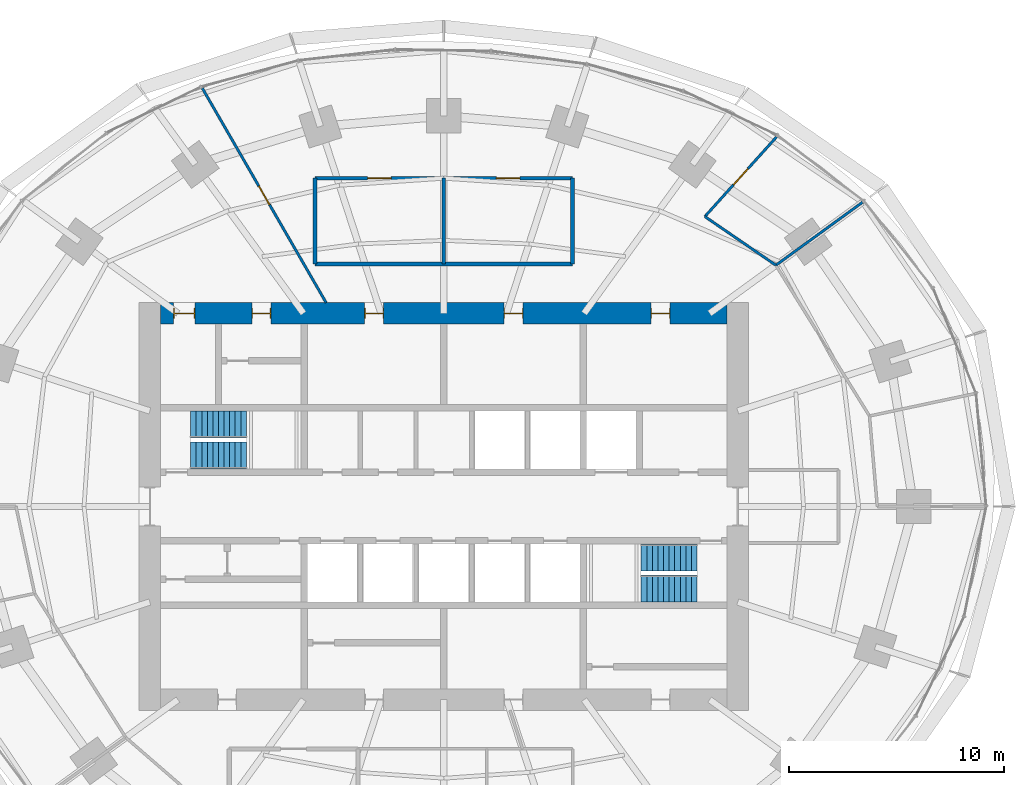
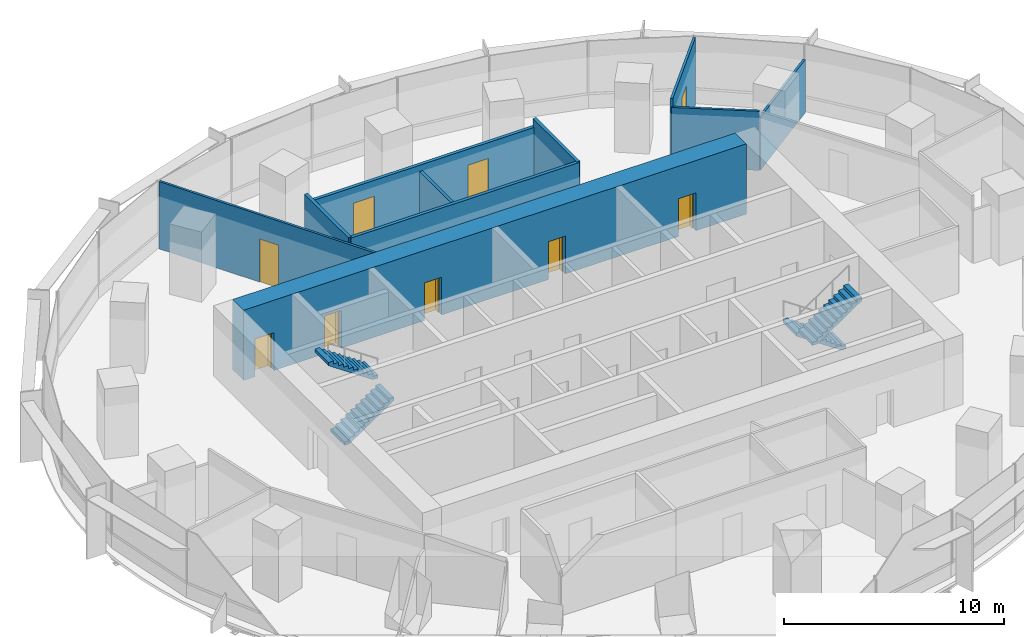
# One storey, part 12 of 14: 10 walls, 9 doors, 4 stair flights, 9 openings, 2 elements without a shape of their own.
"""IFC4 building model written with IfcOpenShell, lengths in metres."""

from ifc_helpers import new_model, si_unit, direction, frame, frame_2d, origin, place, context, subcontext, project, spatial, polyline, rectangle, outline, extrude, material, layer, layer_set, type_object, element, fill, aggregate, save


model = new_model("IFC4")

# Units and contexts
model_context = context("Model", 3, precision=1e-05, world=origin(), true_north=direction((0.0, 1.0)))
body_context = subcontext(model_context, "Body", "Model", "MODEL_VIEW")
ifc_project = project(units=[si_unit("LENGTHUNIT", "METRE"), si_unit("AREAUNIT", "SQUARE_METRE"), si_unit("VOLUMEUNIT", "CUBIC_METRE"), si_unit("PLANEANGLEUNIT", "RADIAN"), si_unit("MASSUNIT", "GRAM", prefix="KILO")], contexts=[model_context])

# Site, building, storey
site_placement = place(None, origin())
site = spatial("IfcSite", under=ifc_project, at=site_placement, CompositionType="ELEMENT")
building_placement = place(site_placement, origin())
building = spatial("IfcBuilding", under=site, at=building_placement, Name="Marramba Exchange Tower", CompositionType="ELEMENT")
storey_placement = place(building_placement, frame((0.0, 0.0, 96.300048828125)))
storey = spatial("IfcBuildingStorey", under=building, at=storey_placement, Name="L22", CompositionType="ELEMENT", Elevation=96.300048828125)

# Wall
ifc_material_1 = material(Name="Plasterboard on staggered double steel studs, acoustic insulation", Category="steel")
ifc_layer_1 = layer(ifc_material_1, 0.169921875)
ifc_layer_set_1 = layer_set([ifc_layer_1], Name="Acoustic partition 170")
wall_type_1 = type_object("IfcWallType", Name="Acoustic partition 170", PredefinedType="PARTITIONING", material=ifc_layer_set_1)
wall_1_placement = place(storey_placement, frame((6.0, 15.300048828125, 0.0), z_axis=(0.0, 0.0, 1.0), x_axis=(0.0, -1.0, 0.0)))
element("IfcWall", 1, at=wall_1_placement, inside=storey, type_object=wall_type_1, Name="Acoustic partition L22 27", PredefinedType="PARTITIONING", context=body_context, shape_type="SweptSolid", body=[
    extrude(rectangle(XDim=4.0, YDim=0.169921875, at=frame_2d((2.0, 0.0))), origin(), (0.0, 0.0, 1.0), 3.739990234375),
])

# Wall, openings, doors
wall_2_placement = place(storey_placement, frame((-6.0, 15.300048828125, 0.0), z_axis=(0.0, 0.0, 1.0), x_axis=(1.0, 0.0, 0.0)))
wall_2 = element("IfcWall", 2, at=wall_2_placement, inside=storey, type_object=wall_type_1, Name="Acoustic partition L22 28", PredefinedType="PARTITIONING", context=body_context, shape_type="SweptSolid", body=[
    extrude(rectangle(XDim=12.0, YDim=0.169921875, at=frame_2d((6.0, 0.0))), origin(), (0.0, 0.0, 1.0), 3.285888671875),
])
opening_1_placement = place(wall_2_placement, frame((2.449951171875, 0.0, 0.0)))
opening_1 = element("IfcOpeningElement", 3, at=opening_1_placement, cuts=wall_2, Name="Opening D15", PredefinedType="OPENING", context=body_context, shape_type="SweptSolid", body=[
    extrude(rectangle(XDim=1.10009765625, YDim=2.39990234375, at=frame_2d((0.550048828125, 1.199951171875))), frame((0.0, 0.094970703125, 0.0), z_axis=(0.0, -1.0, 0.0), x_axis=(1.0, 0.0, 0.0)), (0.0, 0.0, 1.0), 0.18994140625),
])
opening_2_placement = place(wall_2_placement, frame((8.449951171875, 0.0, 0.0)))
opening_2 = element("IfcOpeningElement", 4, at=opening_2_placement, cuts=wall_2, Name="Opening D15", PredefinedType="OPENING", context=body_context, shape_type="SweptSolid", body=[
    extrude(rectangle(XDim=1.10009765625, YDim=2.39990234375, at=frame_2d((0.550048828125, 1.199951171875))), frame((0.0, 0.094970703125, 0.0), z_axis=(0.0, -1.0, 0.0), x_axis=(1.0, 0.0, 0.0)), (0.0, 0.0, 1.0), 0.18994140625),
])
ifc_material_2 = material(Name="Timber door", Category="wood")
door_type_1 = type_object("IfcDoorType", Name="Glazed meeting room door 1100x2400", OperationType="SINGLE_SWING_LEFT", PredefinedType="DOOR", material=ifc_material_2)
door_1_placement = place(opening_1_placement, frame((1.10009765625, 0.0, 0.0), z_axis=(0.0, 0.0, 1.0), x_axis=(-1.0, 0.0, 0.0)))
door_1 = element("IfcDoor", 5, at=door_1_placement, inside=storey, type_object=door_type_1, Name="D15 Meeting Room 1 L22", OperationType="SINGLE_SWING_RIGHT", OverallHeight=2.39990234375, OverallWidth=1.10009765625, PredefinedType="DOOR", context=body_context, shape_type="SweptSolid", body=[
    extrude(rectangle(XDim=1.10009765625, YDim=2.39990234375, at=frame_2d((0.550048828125, 1.199951171875))), frame((0.0, 0.025146484375, 0.0), z_axis=(0.0, -1.0, 0.0), x_axis=(1.0, 0.0, 0.0)), (0.0, 0.0, 1.0), 0.050048828125),
])
fill(opening_1, door_1)
door_2_placement = place(opening_2_placement, frame((1.10009765625, 0.0, 0.0), z_axis=(0.0, 0.0, 1.0), x_axis=(-1.0, 0.0, 0.0)))
door_2 = element("IfcDoor", 6, at=door_2_placement, inside=storey, type_object=door_type_1, Name="D15 Meeting Room 2 L22", OperationType="SINGLE_SWING_RIGHT", OverallHeight=2.39990234375, OverallWidth=1.10009765625, PredefinedType="DOOR", context=body_context, shape_type="SweptSolid", body=[
    extrude(rectangle(XDim=1.10009765625, YDim=2.39990234375, at=frame_2d((0.550048828125, 1.199951171875))), frame((0.0, 0.025146484375, 0.0), z_axis=(0.0, -1.0, 0.0), x_axis=(1.0, 0.0, 0.0)), (0.0, 0.0, 1.0), 0.050048828125),
])
fill(opening_2, door_2)

# Walls
wall_3_placement = place(storey_placement, frame((0.0, 15.300048828125, 0.0), z_axis=(0.0, 0.0, 1.0), x_axis=(0.0, -1.0, 0.0)))
element("IfcWall", 7, at=wall_3_placement, inside=storey, type_object=wall_type_1, Name="Acoustic partition L22 29", PredefinedType="PARTITIONING", context=body_context, shape_type="SweptSolid", body=[
    extrude(rectangle(XDim=4.0, YDim=0.169921875, at=frame_2d((2.0, 0.0))), origin(), (0.0, 0.0, 1.0), 2.93994140625),
])
wall_4_placement = place(storey_placement, frame((6.0, 11.300048828125, 0.0), z_axis=(0.0, 0.0, 1.0), x_axis=(-1.0, 0.0, 0.0)))
element("IfcWall", 8, at=wall_4_placement, inside=storey, type_object=wall_type_1, Name="Acoustic partition L22 30", PredefinedType="PARTITIONING", context=body_context, shape_type="SweptSolid", body=[
    extrude(rectangle(XDim=12.0, YDim=0.169921875, at=frame_2d((6.0, 0.0))), origin(), (0.0, 0.0, 1.0), 3.739990234375),
])
wall_5_placement = place(storey_placement, frame((-6.0, 11.300048828125, 0.0), z_axis=(0.0, 0.0, 1.0), x_axis=(0.0, 1.0, 0.0)))
element("IfcWall", 9, at=wall_5_placement, inside=storey, type_object=wall_type_1, Name="Acoustic partition L22 31", PredefinedType="PARTITIONING", context=body_context, shape_type="SweptSolid", body=[
    extrude(rectangle(XDim=4.0, YDim=0.169921875, at=frame_2d((2.0, 0.0))), origin(), (0.0, 0.0, 1.0), 3.739990234375),
])

# Wall, openings, doors
ifc_material_3 = material(Name="Concrete N50", Category="concrete")
ifc_layer_2 = layer(ifc_material_3, 1.0)
ifc_layer_set_2 = layer_set([ifc_layer_2], Name="Core wall 1000")
wall_type_2 = type_object("IfcWallType", Name="Core wall 1000", PredefinedType="SHEAR", material=ifc_layer_set_2)
wall_6_placement = place(storey_placement, frame((13.199951171875, 9.0, 0.0), z_axis=(0.0, 0.0, 1.0), x_axis=(-1.0, 0.0, 0.0)))
wall_6 = element("IfcWall", 10, at=wall_6_placement, inside=storey, type_object=wall_type_2, Name="Core wall N L22", PredefinedType="SHEAR", context=body_context, shape_type="SweptSolid", body=[
    extrude(rectangle(XDim=26.39990234375, YDim=1.0, at=frame_2d((13.199951171875, 0.0))), origin(), (0.0, 0.0, 1.0), 3.89990234375),
])
opening_3_placement = place(wall_6_placement, frame((2.64990234375, 0.0, 0.0)))
opening_3 = element("IfcOpeningElement", 11, at=opening_3_placement, cuts=wall_6, Name="Opening D5", PredefinedType="OPENING", context=body_context, shape_type="SweptSolid", body=[
    extrude(rectangle(XDim=0.89990234375, YDim=2.10009765625, at=frame_2d((0.449951171875, 1.050048828125))), frame((0.0, 0.510009765625, 0.0), z_axis=(0.0, -1.0, 0.0), x_axis=(1.0, 0.0, 0.0)), (0.0, 0.0, 1.0), 1.02001953125),
])
opening_4_placement = place(wall_6_placement, frame((9.5, 0.0, 0.0)))
opening_4 = element("IfcOpeningElement", 12, at=opening_4_placement, cuts=wall_6, Name="Opening D3", PredefinedType="OPENING", context=body_context, shape_type="SweptSolid", body=[
    extrude(rectangle(XDim=0.89990234375, YDim=2.10009765625, at=frame_2d((0.449951171875, 1.050048828125))), frame((0.0, 0.510009765625, 0.0), z_axis=(0.0, -1.0, 0.0), x_axis=(1.0, 0.0, 0.0)), (0.0, 0.0, 1.0), 1.02001953125),
])
opening_5_placement = place(wall_6_placement, frame((16.0, 0.0, 0.0)))
opening_5 = element("IfcOpeningElement", 13, at=opening_5_placement, cuts=wall_6, Name="Opening D3", PredefinedType="OPENING", context=body_context, shape_type="SweptSolid", body=[
    extrude(rectangle(XDim=0.89990234375, YDim=2.10009765625, at=frame_2d((0.449951171875, 1.050048828125))), frame((0.0, 0.510009765625, 0.0), z_axis=(0.0, -1.0, 0.0), x_axis=(1.0, 0.0, 0.0)), (0.0, 0.0, 1.0), 1.02001953125),
])
opening_6_placement = place(wall_6_placement, frame((21.25, 0.0, 0.0)))
opening_6 = element("IfcOpeningElement", 14, at=opening_6_placement, cuts=wall_6, Name="Opening D5", PredefinedType="OPENING", context=body_context, shape_type="SweptSolid", body=[
    extrude(rectangle(XDim=0.89990234375, YDim=2.10009765625, at=frame_2d((0.449951171875, 1.050048828125))), frame((0.0, 0.510009765625, 0.0), z_axis=(0.0, -1.0, 0.0), x_axis=(1.0, 0.0, 0.0)), (0.0, 0.0, 1.0), 1.02001953125),
])
opening_7_placement = place(wall_6_placement, frame((24.800048828125, 0.0, 0.0)))
opening_7 = element("IfcOpeningElement", 15, at=opening_7_placement, cuts=wall_6, Name="Opening D4", PredefinedType="OPENING", context=body_context, shape_type="SweptSolid", body=[
    extrude(rectangle(XDim=1.0, YDim=2.10009765625, at=frame_2d((0.5, 1.050048828125))), frame((0.0, 0.510009765625, 0.0), z_axis=(0.0, -1.0, 0.0), x_axis=(1.0, 0.0, 0.0)), (0.0, 0.0, 1.0), 1.02001953125),
])
ifc_material_4 = material(Name="Steel-framed door", Category="steel")
door_type_2 = type_object("IfcDoorType", Name="Accessible toilet door 1000x2100", OperationType="SINGLE_SWING_LEFT", PredefinedType="DOOR", material=ifc_material_4)
door_3_placement = place(opening_7_placement, origin())
door_3 = element("IfcDoor", 16, at=door_3_placement, inside=storey, type_object=door_type_2, Name="D4 awc L22", OperationType="SINGLE_SWING_RIGHT", OverallHeight=2.10009765625, OverallWidth=1.0, PredefinedType="DOOR", context=body_context, shape_type="SweptSolid", body=[
    extrude(rectangle(XDim=0.919921875, YDim=2.06005859375, at=frame_2d((0.5, 1.030029296875))), frame((0.0, 0.02490234375, 0.0), z_axis=(0.0, -1.0, 0.0), x_axis=(1.0, 0.0, 0.0)), (0.0, 0.0, 1.0), 0.050048828125),
    extrude(rectangle(XDim=0.04, YDim=2.10009765625, at=frame_2d((0.02001953125, 1.050048828125))), frame((0.0, 0.25, 0.0), z_axis=(0.0, -1.0, 0.0), x_axis=(1.0, 0.0, 0.0)), (0.0, 0.0, 1.0), 0.5),
    extrude(rectangle(XDim=0.04, YDim=2.10009765625, at=frame_2d((0.97998046875, 1.050048828125))), frame((0.0, 0.25, 0.0), z_axis=(0.0, -1.0, 0.0), x_axis=(1.0, 0.0, 0.0)), (0.0, 0.0, 1.0), 0.5),
    extrude(rectangle(XDim=0.919921875, YDim=0.04, at=frame_2d((0.5, 2.080078125))), frame((0.0, 0.25, 0.0), z_axis=(0.0, -1.0, 0.0), x_axis=(1.0, 0.0, 0.0)), (0.0, 0.0, 1.0), 0.5),
])
fill(opening_7, door_3)
door_type_3 = type_object("IfcDoorType", Name="Service door 900x2100", OperationType="SINGLE_SWING_LEFT", PredefinedType="DOOR", material=ifc_material_4)
door_4_placement = place(opening_3_placement, origin())
door_4 = element("IfcDoor", 17, at=door_4_placement, inside=storey, type_object=door_type_3, Name="D5 comms L22", OperationType="SINGLE_SWING_LEFT", OverallHeight=2.10009765625, OverallWidth=0.89990234375, PredefinedType="DOOR", context=body_context, shape_type="SweptSolid", body=[
    extrude(rectangle(XDim=0.81982421875, YDim=2.06005859375, at=frame_2d((0.449951171875, 1.030029296875))), frame((0.0, 0.02490234375, 0.0), z_axis=(0.0, -1.0, 0.0), x_axis=(1.0, 0.0, 0.0)), (0.0, 0.0, 1.0), 0.050048828125),
    extrude(rectangle(XDim=0.04, YDim=2.10009765625, at=frame_2d((0.02001953125, 1.050048828125))), frame((0.0, 0.25, 0.0), z_axis=(0.0, -1.0, 0.0), x_axis=(1.0, 0.0, 0.0)), (0.0, 0.0, 1.0), 0.5),
    extrude(rectangle(XDim=0.04, YDim=2.10009765625, at=frame_2d((0.8798828125, 1.050048828125))), frame((0.0, 0.25, 0.0), z_axis=(0.0, -1.0, 0.0), x_axis=(1.0, 0.0, 0.0)), (0.0, 0.0, 1.0), 0.5),
    extrude(rectangle(XDim=0.81982421875, YDim=0.04, at=frame_2d((0.449951171875, 2.080078125))), frame((0.0, 0.25, 0.0), z_axis=(0.0, -1.0, 0.0), x_axis=(1.0, 0.0, 0.0)), (0.0, 0.0, 1.0), 0.5),
])
fill(opening_3, door_4)
door_5_placement = place(opening_6_placement, origin())
door_5 = element("IfcDoor", 18, at=door_5_placement, inside=storey, type_object=door_type_3, Name="D5 cleaner L22", OperationType="SINGLE_SWING_RIGHT", OverallHeight=2.10009765625, OverallWidth=0.89990234375, PredefinedType="DOOR", context=body_context, shape_type="SweptSolid", body=[
    extrude(rectangle(XDim=0.81982421875, YDim=2.06005859375, at=frame_2d((0.449951171875, 1.030029296875))), frame((0.0, 0.02490234375, 0.0), z_axis=(0.0, -1.0, 0.0), x_axis=(1.0, 0.0, 0.0)), (0.0, 0.0, 1.0), 0.050048828125),
    extrude(rectangle(XDim=0.04, YDim=2.10009765625, at=frame_2d((0.02001953125, 1.050048828125))), frame((0.0, 0.25, 0.0), z_axis=(0.0, -1.0, 0.0), x_axis=(1.0, 0.0, 0.0)), (0.0, 0.0, 1.0), 0.5),
    extrude(rectangle(XDim=0.04, YDim=2.10009765625, at=frame_2d((0.8798828125, 1.050048828125))), frame((0.0, 0.25, 0.0), z_axis=(0.0, -1.0, 0.0), x_axis=(1.0, 0.0, 0.0)), (0.0, 0.0, 1.0), 0.5),
    extrude(rectangle(XDim=0.81982421875, YDim=0.04, at=frame_2d((0.449951171875, 2.080078125))), frame((0.0, 0.25, 0.0), z_axis=(0.0, -1.0, 0.0), x_axis=(1.0, 0.0, 0.0)), (0.0, 0.0, 1.0), 0.5),
])
fill(opening_6, door_5)
door_type_4 = type_object("IfcDoorType", Name="Toilet door 900x2100", OperationType="SINGLE_SWING_LEFT", PredefinedType="DOOR", material=ifc_material_4)
door_6_placement = place(opening_4_placement, origin())
door_6 = element("IfcDoor", 19, at=door_6_placement, inside=storey, type_object=door_type_4, Name="D3 wc-f L22", OperationType="SINGLE_SWING_RIGHT", OverallHeight=2.10009765625, OverallWidth=0.89990234375, PredefinedType="DOOR", context=body_context, shape_type="SweptSolid", body=[
    extrude(rectangle(XDim=0.81982421875, YDim=2.06005859375, at=frame_2d((0.449951171875, 1.030029296875))), frame((0.0, 0.02490234375, 0.0), z_axis=(0.0, -1.0, 0.0), x_axis=(1.0, 0.0, 0.0)), (0.0, 0.0, 1.0), 0.050048828125),
    extrude(rectangle(XDim=0.04, YDim=2.10009765625, at=frame_2d((0.02001953125, 1.050048828125))), frame((0.0, 0.25, 0.0), z_axis=(0.0, -1.0, 0.0), x_axis=(1.0, 0.0, 0.0)), (0.0, 0.0, 1.0), 0.5),
    extrude(rectangle(XDim=0.04, YDim=2.10009765625, at=frame_2d((0.8798828125, 1.050048828125))), frame((0.0, 0.25, 0.0), z_axis=(0.0, -1.0, 0.0), x_axis=(1.0, 0.0, 0.0)), (0.0, 0.0, 1.0), 0.5),
    extrude(rectangle(XDim=0.81982421875, YDim=0.04, at=frame_2d((0.449951171875, 2.080078125))), frame((0.0, 0.25, 0.0), z_axis=(0.0, -1.0, 0.0), x_axis=(1.0, 0.0, 0.0)), (0.0, 0.0, 1.0), 0.5),
])
fill(opening_4, door_6)
door_7_placement = place(opening_5_placement, origin())
door_7 = element("IfcDoor", 20, at=door_7_placement, inside=storey, type_object=door_type_4, Name="D3 wc-m L22", OperationType="SINGLE_SWING_RIGHT", OverallHeight=2.10009765625, OverallWidth=0.89990234375, PredefinedType="DOOR", context=body_context, shape_type="SweptSolid", body=[
    extrude(rectangle(XDim=0.81982421875, YDim=2.06005859375, at=frame_2d((0.449951171875, 1.030029296875))), frame((0.0, 0.02490234375, 0.0), z_axis=(0.0, -1.0, 0.0), x_axis=(1.0, 0.0, 0.0)), (0.0, 0.0, 1.0), 0.050048828125),
    extrude(rectangle(XDim=0.04, YDim=2.10009765625, at=frame_2d((0.02001953125, 1.050048828125))), frame((0.0, 0.25, 0.0), z_axis=(0.0, -1.0, 0.0), x_axis=(1.0, 0.0, 0.0)), (0.0, 0.0, 1.0), 0.5),
    extrude(rectangle(XDim=0.04, YDim=2.10009765625, at=frame_2d((0.8798828125, 1.050048828125))), frame((0.0, 0.25, 0.0), z_axis=(0.0, -1.0, 0.0), x_axis=(1.0, 0.0, 0.0)), (0.0, 0.0, 1.0), 0.5),
    extrude(rectangle(XDim=0.81982421875, YDim=0.04, at=frame_2d((0.449951171875, 2.080078125))), frame((0.0, 0.25, 0.0), z_axis=(0.0, -1.0, 0.0), x_axis=(1.0, 0.0, 0.0)), (0.0, 0.0, 1.0), 0.5),
])
fill(opening_5, door_7)

# Walls
ifc_material_5 = material(Name="Plasterboard on steel studs", Category="steel")
ifc_layer_3 = layer(ifc_material_5, 0.1201171875)
ifc_layer_set_3 = layer_set([ifc_layer_3], Name="Partition 120")
wall_type_3 = type_object("IfcWallType", Name="Partition 120", PredefinedType="PARTITIONING", material=ifc_layer_set_3)
wall_7_placement = place(storey_placement, frame((19.521484375, 14.18310546875, 0.0), z_axis=(0.0, 0.0, 1.0), x_axis=(-0.809025274756, -0.587773855157, 0.0)))
element("IfcWall", 21, at=wall_7_placement, inside=storey, type_object=wall_type_3, Name="Partition L22 24", PredefinedType="PARTITIONING", context=body_context, shape_type="SweptSolid", body=[
    extrude(rectangle(XDim=4.999755859375, YDim=0.1201171875, at=frame_2d((2.5, 0.0))), origin(), (0.0, 0.0, 1.0), 2.93994140625),
])
wall_8_placement = place(storey_placement, frame((12.166748046875, 13.512451171875, 0.0), z_axis=(0.0, 0.0, 1.0), x_axis=(0.824905575903, -0.565270546591, 0.0)))
element("IfcWall", 22, at=wall_8_placement, inside=storey, type_object=wall_type_3, Name="Partition L22 25", PredefinedType="PARTITIONING", context=body_context, shape_type="SweptSolid", body=[
    extrude(rectangle(XDim=4.012451171875, YDim=0.1201171875, at=frame_2d((2.00634765625, 0.0))), origin(), (0.0, 0.0, 1.0), 3.285888671875),
])

# Wall, opening, door
wall_9_placement = place(storey_placement, frame((15.512451171875, 17.228271484375, 0.0), z_axis=(0.0, 0.0, 1.0), x_axis=(-0.669126573551, -0.743148456614, 0.0)))
wall_9 = element("IfcWall", 23, at=wall_9_placement, inside=storey, type_object=wall_type_3, Name="Partition L22 26", PredefinedType="PARTITIONING", context=body_context, shape_type="SweptSolid", body=[
    extrude(rectangle(XDim=5.0, YDim=0.1201171875, at=frame_2d((2.5, 0.0))), origin(), (0.0, 0.0, 1.0), 3.739990234375),
])
opening_8_placement = place(wall_9_placement, frame((2.0, 0.0, 0.0)))
opening_8 = element("IfcOpeningElement", 24, at=opening_8_placement, cuts=wall_9, Name="Opening D9", PredefinedType="OPENING", context=body_context, shape_type="SweptSolid", body=[
    extrude(rectangle(XDim=1.0, YDim=2.39990234375, at=frame_2d((0.5, 1.199951171875))), frame((0.0, 0.070068359375, 0.0), z_axis=(0.0, -1.0, 0.0), x_axis=(1.0, 0.0, 0.0)), (0.0, 0.0, 1.0), 0.14013671875),
])
door_type_5 = type_object("IfcDoorType", Name="Room door 1000x2400", OperationType="SINGLE_SWING_LEFT", PredefinedType="DOOR", material=ifc_material_2)
door_8_placement = place(opening_8_placement, origin())
door_8 = element("IfcDoor", 25, at=door_8_placement, inside=storey, type_object=door_type_5, Name="D9 Compliance Office 1 L22", OperationType="SINGLE_SWING_RIGHT", OverallHeight=2.39990234375, OverallWidth=1.0, PredefinedType="DOOR", context=body_context, shape_type="SweptSolid", body=[
    extrude(rectangle(XDim=1.0, YDim=2.39990234375, at=frame_2d((0.5, 1.199951171875))), frame((0.0, 0.02490234375, 0.0), z_axis=(0.0, -1.0, 0.0), x_axis=(1.0, 0.0, 0.0)), (0.0, 0.0, 1.0), 0.050048828125),
])
fill(opening_8, door_8)

wall_10_placement = place(storey_placement, frame((-5.48486328125, 9.5, 0.0), z_axis=(0.0, 0.0, 1.0), x_axis=(-0.500002645523, 0.866023876385, 0.0)))
wall_10 = element("IfcWall", 26, at=wall_10_placement, inside=storey, type_object=wall_type_3, Name="Partition L22 32", PredefinedType="PARTITIONING", context=body_context, shape_type="SweptSolid", body=[
    extrude(rectangle(XDim=11.5400390625, YDim=0.1201171875, at=frame_2d((5.77001953125, 0.0))), origin(), (0.0, 0.0, 1.0), 3.739990234375),
])
opening_9_placement = place(wall_10_placement, frame((5.27001953125, 0.0, 0.0)))
opening_9 = element("IfcOpeningElement", 27, at=opening_9_placement, cuts=wall_10, Name="Opening D9", PredefinedType="OPENING", context=body_context, shape_type="SweptSolid", body=[
    extrude(rectangle(XDim=1.0, YDim=2.39990234375, at=frame_2d((0.5, 1.199951171875))), frame((0.0, 0.070068359375, 0.0), z_axis=(0.0, -1.0, 0.0), x_axis=(1.0, 0.0, 0.0)), (0.0, 0.0, 1.0), 0.14013671875),
])
door_9_placement = place(opening_9_placement, origin())
door_9 = element("IfcDoor", 28, at=door_9_placement, inside=storey, type_object=door_type_5, Name="D9 Market Supervision Office L22", OperationType="SINGLE_SWING_LEFT", OverallHeight=2.39990234375, OverallWidth=1.0, PredefinedType="DOOR", context=body_context, shape_type="SweptSolid", body=[
    extrude(rectangle(XDim=1.0, YDim=2.39990234375, at=frame_2d((0.5, 1.199951171875))), frame((0.0, 0.02490234375, 0.0), z_axis=(0.0, -1.0, 0.0), x_axis=(1.0, 0.0, 0.0)), (0.0, 0.0, 1.0), 0.050048828125),
])
fill(opening_9, door_9)

# Stair, stair flights
ifc_material_6 = material(Name="Concrete N40 (40 MPa)", Category="concrete")
stair_type_1 = type_object("IfcStairType", Name="Exit stair ST1 3900 x 1250", PredefinedType="HALF_TURN_STAIR", material=ifc_material_6)
stair_1_placement = place(storey_placement, origin())
stair_1 = element("IfcStair", 29, at=stair_1_placement, inside=storey, type_object=stair_type_1, Name="Exit stair ST1 L22", PredefinedType="HALF_TURN_STAIR")
stair_flight_type_1 = type_object("IfcStairFlightType", Name="ST1 stair flight 1773 riser 1250 wide", PredefinedType="STRAIGHT", material=ifc_material_6)
stair_flight_1_placement = place(storey_placement, frame((-11.800048828125, 2.375, 0.0), z_axis=(0.0, 0.0, 1.0), x_axis=(1.0, 0.0, 0.0)))
stair_flight_1 = element("IfcStairFlight", 30, at=stair_flight_1_placement, type_object=stair_flight_type_1, Name="ST1 flight 1", NumberOfRisers=11, NumberOfTreads=10, PredefinedType="STRAIGHT", RiserHeight=0.177272727, TreadLength=0.26, context=body_context, shape_type="SweptSolid", body=[
    extrude(outline(polyline([(0.0, 0.0), (0.0, 0.17724609375), (0.260009765625, 0.17724609375), (0.260009765625, 0.3544921875), (0.52001953125, 0.3544921875), (0.52001953125, 0.53173828125), (0.780029296875, 0.53173828125), (0.780029296875, 0.708984375), (1.0400390625, 0.708984375), (1.0400390625, 0.886474609375), (1.300048828125, 0.886474609375), (1.300048828125, 1.063720703125), (1.56005859375, 1.063720703125), (1.56005859375, 1.240966796875), (1.820068359375, 1.240966796875), (1.820068359375, 1.418212890625), (2.080078125, 1.418212890625), (2.080078125, 1.595458984375), (2.340087890625, 1.595458984375), (2.340087890625, 1.772705078125), (2.60009765625, 1.772705078125), (2.60009765625, 1.949951171875), (2.60009765625, 1.59130859375), (0.26611328125, 0.0), (0.0, 0.0)])), frame((0.0, 0.625, 0.0), z_axis=(0.0, -1.0, 0.0), x_axis=(1.0, 0.0, 0.0)), (0.0, 0.0, 1.0), 1.25),
])
stair_flight_2_placement = place(storey_placement, frame((-9.199951171875, 3.824951171875, 1.949951171875), z_axis=(0.0, 0.0, 1.0), x_axis=(-1.0, 0.0, 0.0)))
stair_flight_2 = element("IfcStairFlight", 31, at=stair_flight_2_placement, type_object=stair_flight_type_1, Name="ST1 flight 2", NumberOfRisers=11, NumberOfTreads=10, PredefinedType="STRAIGHT", RiserHeight=0.177272727, TreadLength=0.26, context=body_context, shape_type="SweptSolid", body=[
    extrude(outline(polyline([(0.0, 0.0), (0.0, 0.17724609375), (0.260009765625, 0.17724609375), (0.260009765625, 0.3544921875), (0.52001953125, 0.3544921875), (0.52001953125, 0.53173828125), (0.780029296875, 0.53173828125), (0.780029296875, 0.708984375), (1.0400390625, 0.708984375), (1.0400390625, 0.886474609375), (1.300048828125, 0.886474609375), (1.300048828125, 1.063720703125), (1.56005859375, 1.063720703125), (1.56005859375, 1.240966796875), (1.820068359375, 1.240966796875), (1.820068359375, 1.418212890625), (2.080078125, 1.418212890625), (2.080078125, 1.595458984375), (2.340087890625, 1.595458984375), (2.340087890625, 1.772705078125), (2.60009765625, 1.772705078125), (2.60009765625, 1.949951171875), (2.60009765625, 1.59130859375), (0.26611328125, 0.0), (0.0, 0.0)])), frame((0.0, 0.625, 0.0), z_axis=(0.0, -1.0, 0.0), x_axis=(1.0, 0.0, 0.0)), (0.0, 0.0, 1.0), 1.25),
])
aggregate(stair_1, [stair_flight_1, stair_flight_2])

stair_type_2 = type_object("IfcStairType", Name="Exit stair ST2 3900 x 1250", PredefinedType="HALF_TURN_STAIR", material=ifc_material_6)
stair_2_placement = place(storey_placement, origin())
stair_2 = element("IfcStair", 32, at=stair_2_placement, inside=storey, type_object=stair_type_2, Name="Exit stair ST2 L22", PredefinedType="HALF_TURN_STAIR")
stair_flight_type_2 = type_object("IfcStairFlightType", Name="ST2 stair flight 1773 riser 1250 wide", PredefinedType="STRAIGHT", material=ifc_material_6)
stair_flight_3_placement = place(storey_placement, frame((11.800048828125, -2.375, 0.0), z_axis=(0.0, 0.0, 1.0), x_axis=(-1.0, 0.0, 0.0)))
stair_flight_3 = element("IfcStairFlight", 33, at=stair_flight_3_placement, type_object=stair_flight_type_2, Name="ST2 flight 1", NumberOfRisers=11, NumberOfTreads=10, PredefinedType="STRAIGHT", RiserHeight=0.177272727, TreadLength=0.26, context=body_context, shape_type="SweptSolid", body=[
    extrude(outline(polyline([(0.0, 0.0), (0.0, 0.17724609375), (0.260009765625, 0.17724609375), (0.260009765625, 0.3544921875), (0.52001953125, 0.3544921875), (0.52001953125, 0.53173828125), (0.780029296875, 0.53173828125), (0.780029296875, 0.708984375), (1.0400390625, 0.708984375), (1.0400390625, 0.886474609375), (1.300048828125, 0.886474609375), (1.300048828125, 1.063720703125), (1.56005859375, 1.063720703125), (1.56005859375, 1.240966796875), (1.820068359375, 1.240966796875), (1.820068359375, 1.418212890625), (2.080078125, 1.418212890625), (2.080078125, 1.595458984375), (2.340087890625, 1.595458984375), (2.340087890625, 1.772705078125), (2.60009765625, 1.772705078125), (2.60009765625, 1.949951171875), (2.60009765625, 1.59130859375), (0.26611328125, 0.0), (0.0, 0.0)])), frame((0.0, 0.625, 0.0), z_axis=(0.0, -1.0, 0.0), x_axis=(1.0, 0.0, 0.0)), (0.0, 0.0, 1.0), 1.25),
])
stair_flight_4_placement = place(storey_placement, frame((9.199951171875, -3.824951171875, 1.949951171875), z_axis=(0.0, 0.0, 1.0), x_axis=(1.0, 0.0, 0.0)))
stair_flight_4 = element("IfcStairFlight", 34, at=stair_flight_4_placement, type_object=stair_flight_type_2, Name="ST2 flight 2", NumberOfRisers=11, NumberOfTreads=10, PredefinedType="STRAIGHT", RiserHeight=0.177272727, TreadLength=0.26, context=body_context, shape_type="SweptSolid", body=[
    extrude(outline(polyline([(0.0, 0.0), (0.0, 0.17724609375), (0.260009765625, 0.17724609375), (0.260009765625, 0.3544921875), (0.52001953125, 0.3544921875), (0.52001953125, 0.53173828125), (0.780029296875, 0.53173828125), (0.780029296875, 0.708984375), (1.0400390625, 0.708984375), (1.0400390625, 0.886474609375), (1.300048828125, 0.886474609375), (1.300048828125, 1.063720703125), (1.56005859375, 1.063720703125), (1.56005859375, 1.240966796875), (1.820068359375, 1.240966796875), (1.820068359375, 1.418212890625), (2.080078125, 1.418212890625), (2.080078125, 1.595458984375), (2.340087890625, 1.595458984375), (2.340087890625, 1.772705078125), (2.60009765625, 1.772705078125), (2.60009765625, 1.949951171875), (2.60009765625, 1.59130859375), (0.26611328125, 0.0), (0.0, 0.0)])), frame((0.0, 0.625, 0.0), z_axis=(0.0, -1.0, 0.0), x_axis=(1.0, 0.0, 0.0)), (0.0, 0.0, 1.0), 1.25),
])
aggregate(stair_2, [stair_flight_3, stair_flight_4])

save(model, "model.ifc")
